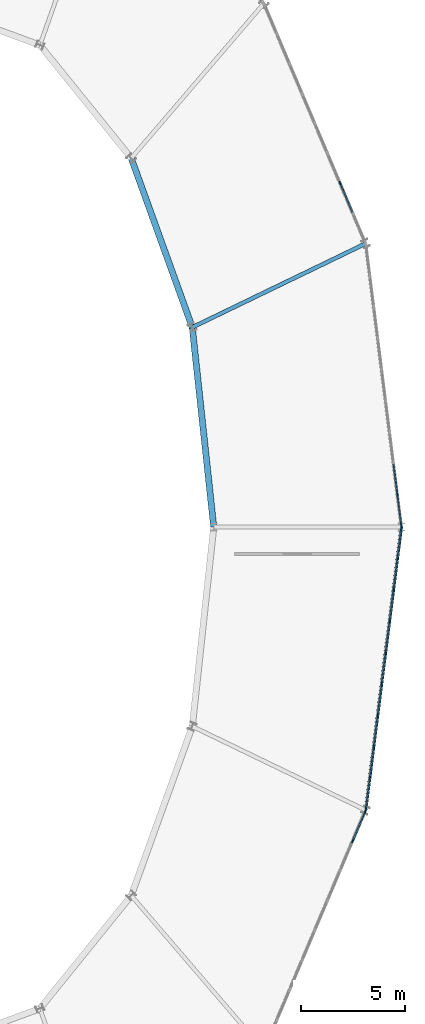
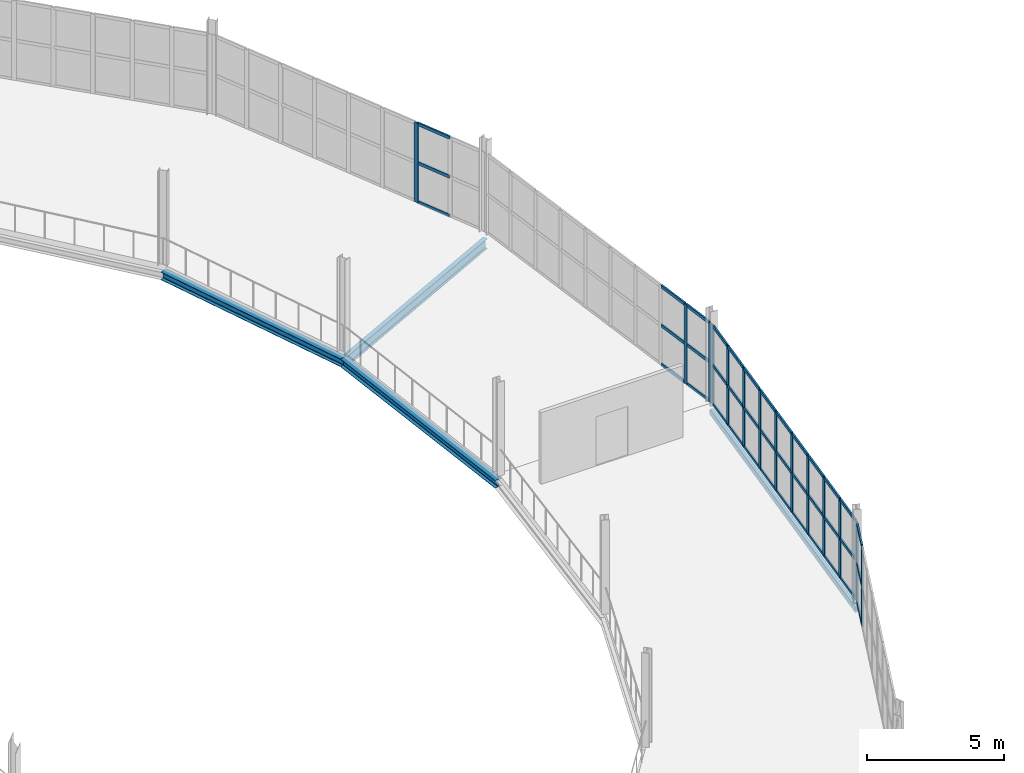
# One storey, part 91 of 161: 54 members, 4 beams, 4 elements without a shape of their own.
"""IFC4 building model written with IfcOpenShell, lengths in metres."""

from ifc_helpers import new_model, si_unit, direction, frame, origin, origin_2d, place, context, subcontext, project, spatial, rectangle, hollow_rectangle, i_section, extrude, material, material_profile, profile_set, type_object, element, aggregate, save


model = new_model("IFC4")

# Units and contexts
model_context = context("Model", 3, precision=1e-05, world=origin(), true_north=direction((0.0, 1.0)))
body_context = subcontext(model_context, "Body", "Model", "MODEL_VIEW")
ifc_project = project(units=[si_unit("LENGTHUNIT", "METRE"), si_unit("AREAUNIT", "SQUARE_METRE"), si_unit("VOLUMEUNIT", "CUBIC_METRE"), si_unit("PLANEANGLEUNIT", "RADIAN"), si_unit("MASSUNIT", "GRAM", prefix="KILO")], contexts=[model_context])

# Site, building, storey
site_placement = place(None, origin())
site = spatial("IfcSite", under=ifc_project, at=site_placement, CompositionType="ELEMENT")
building_placement = place(site_placement, origin())
building = spatial("IfcBuilding", under=site, at=building_placement, Name="Kildeholm Park Wholesale Market", CompositionType="ELEMENT")
storey_placement = place(building_placement, frame((0.0, 0.0, 5.39990234375)))
storey = spatial("IfcBuildingStorey", under=building, at=storey_placement, Name="L01", CompositionType="ELEMENT", Elevation=5.39990234375)

# Beams
ifc_material_1 = material(Name="Steel S355", Category="steel")
ifc_material_profile_1 = material_profile(ifc_material_1, i_section(OverallWidth=0.18994140625, OverallDepth=0.449951171875, WebThickness=0.009521484375, FlangeThickness=0.0146484375, FilletRadius=0.02099609375, at=origin_2d()), Name="IPE 450")
ifc_profile_set_1 = profile_set([ifc_material_profile_1], Name="Steel S355")
beam_type_1 = type_object("IfcBeamType", Name="Beam B-P02 IPE 450", PredefinedType="BEAM", material=ifc_profile_set_1)
beam_1_placement = place(storey_placement, frame((200.471923828125, 104.06689453125, -0.48486328125), z_axis=(0.900388826514, 0.435086153639, 0.0), x_axis=(-0.435086153639, 0.900388826514, 0.0)))
element("IfcBeam", 1, at=beam_1_placement, inside=storey, type_object=beam_type_1, Name="Beam BM-V2-L01-R-01 BM-0370", PredefinedType="BEAM", context=body_context, shape_type="SweptSolid", body=[
    extrude(i_section(OverallWidth=0.18994140625, OverallDepth=0.449951171875, WebThickness=0.009521484375, FlangeThickness=0.0146484375, FilletRadius=0.02099609375, at=origin_2d()), origin(), (0.0, 0.0, 1.0), 9.235107421875),
])
ifc_material_profile_2 = material_profile(ifc_material_1, i_section(OverallWidth=0.300048828125, OverallDepth=0.35009765625, WebThickness=0.010009765625, FlangeThickness=0.017578125, FilletRadius=0.027099609375, at=origin_2d()), Name="HEA 360")
ifc_profile_set_2 = profile_set([ifc_material_profile_2], Name="Steel S355")
beam_type_2 = type_object("IfcBeamType", Name="Beam B-R01 HEA 360", PredefinedType="BEAM", material=ifc_profile_set_2)
beam_2_placement = place(storey_placement, frame((201.5, 94.5, -0.434814453125), z_axis=(-0.106846684142, 0.99427550814, 0.0), x_axis=(-0.99427550814, -0.106846684142, 0.0)))
element("IfcBeam", 2, at=beam_2_placement, inside=storey, type_object=beam_type_2, Name="Beam BM-V2-L01-CI-00 BM-0365", PredefinedType="BEAM", context=body_context, shape_type="SweptSolid", body=[
    extrude(i_section(OverallWidth=0.300048828125, OverallDepth=0.35009765625, WebThickness=0.010009765625, FlangeThickness=0.017578125, FilletRadius=0.027099609375, at=origin_2d()), origin(), (0.0, 0.0, 1.0), 9.6220703125),
])
beam_3_placement = place(storey_placement, frame((200.471923828125, 104.06689453125, -0.434814453125), z_axis=(-0.339339006409, 0.940664147679, 0.0), x_axis=(-0.940664147679, -0.339339006409, 0.0)))
element("IfcBeam", 3, at=beam_3_placement, inside=storey, type_object=beam_type_2, Name="Beam BM-V2-L01-CI-01 BM-0372", PredefinedType="BEAM", context=body_context, shape_type="SweptSolid", body=[
    extrude(i_section(OverallWidth=0.300048828125, OverallDepth=0.35009765625, WebThickness=0.010009765625, FlangeThickness=0.017578125, FilletRadius=0.027099609375, at=origin_2d()), origin(), (0.0, 0.0, 1.0), 8.622802734375),
])
ifc_material_profile_3 = material_profile(ifc_material_1, hollow_rectangle(XDim=0.14990234375, YDim=0.25, WallThickness=0.010009765625, InnerFilletRadius=0.010009765625, OuterFilletRadius=0.02001953125, at=origin_2d()), Name="RHS 250x150x10")
ifc_profile_set_3 = profile_set([ifc_material_profile_3], Name="Steel S355")
beam_type_3 = type_object("IfcBeamType", Name="Beam SP-02 RHS 250x150x10", PredefinedType="SPANDREL", material=ifc_profile_set_3)
beam_4_placement = place(storey_placement, frame((208.787109375, 80.9150390625, -0.385009765625), z_axis=(0.125096795787, 0.99214454173, 0.0), x_axis=(-0.99214454173, 0.125096795787, 0.0)))
element("IfcBeam", 4, at=beam_4_placement, inside=storey, type_object=beam_type_3, Name="Beam BM-V2-L01-CO-15 BM-0467", PredefinedType="SPANDREL", context=body_context, shape_type="SweptSolid", body=[
    extrude(hollow_rectangle(XDim=0.14990234375, YDim=0.25, WallThickness=0.010009765625, InnerFilletRadius=0.010009765625, OuterFilletRadius=0.02001953125, at=origin_2d()), origin(), (0.0, 0.0, 1.0), 13.692626953125),
])

# Curtain wall, members
ifc_material_2 = material(Name="Anodised aluminium and low-E double-glazed glass", Category="aluminium")
curtain_wall_type = type_object("IfcCurtainWallType", Name="Market hall glazed arcade stick curtain wall CW-01", PredefinedType="NOTDEFINED", material=ifc_material_2)
curtain_wall_1_placement = place(storey_placement, origin())
curtain_wall_1 = element("IfcCurtainWall", 5, at=curtain_wall_1_placement, inside=storey, type_object=curtain_wall_type, Name="Curtain wall CW-V2-L01-00 CW-0119", PredefinedType="NOTDEFINED")
ifc_material_3 = material(Name="Anodised aluminium", Category="aluminium")
ifc_material_profile_4 = material_profile(ifc_material_3, rectangle(XDim=0.06494140625, YDim=0.179931640625, at=origin_2d()), Name="CWM 65x180")
ifc_profile_set_4 = profile_set([ifc_material_profile_4], Name="Anodised aluminium")
member_type_1 = type_object("IfcMemberType", Name="Curtain-wall mullion CWM-1 CWM 65x180", PredefinedType="MULLION", material=ifc_profile_set_4)
member_1_placement = place(storey_placement, frame((210.495849609375, 94.5732421875, 0.0), z_axis=(0.0, 0.0, 1.0), x_axis=(-0.992145095497, -0.12509240377, 0.0)))
member_1 = element("IfcMember", 6, at=member_1_placement, type_object=member_type_1, Name="CW-01 mullion 1 MEM-3648", PredefinedType="MULLION", context=body_context, shape_type="SweptSolid", body=[
    extrude(rectangle(XDim=0.06494140625, YDim=0.179931640625, at=origin_2d()), origin(), (0.0, 0.0, 1.0), 3.550048828125),
])
member_2_placement = place(storey_placement, frame((210.310791015625, 96.041748046875, 0.0), z_axis=(0.0, 0.0, 1.0), x_axis=(-0.992145095497, -0.12509240377, 0.0)))
member_2 = element("IfcMember", 7, at=member_2_placement, type_object=member_type_1, Name="CW-01 mullion 2 MEM-3649", PredefinedType="MULLION", context=body_context, shape_type="SweptSolid", body=[
    extrude(rectangle(XDim=0.06494140625, YDim=0.179931640625, at=origin_2d()), origin(), (0.0, 0.0, 1.0), 3.550048828125),
])

# Curtain wall, member
curtain_wall_2_placement = place(storey_placement, origin())
curtain_wall_2 = element("IfcCurtainWall", 8, at=curtain_wall_2_placement, inside=storey, type_object=curtain_wall_type, Name="Curtain wall CW-V2-L01-01 CW-0120", PredefinedType="NOTDEFINED")
member_3_placement = place(storey_placement, frame((207.564453125, 110.9873046875, 0.0), z_axis=(0.0, 0.0, 1.0), x_axis=(-0.920855054668, -0.389905076002, 0.0)))
member_3 = element("IfcMember", 9, at=member_3_placement, type_object=member_type_1, Name="CW-01 mullion 3 MEM-3687", PredefinedType="MULLION", context=body_context, shape_type="SweptSolid", body=[
    extrude(rectangle(XDim=0.06494140625, YDim=0.179931640625, at=origin_2d()), origin(), (0.0, 0.0, 1.0), 3.550048828125),
])

# Curtain wall, members
curtain_wall_3_placement = place(storey_placement, origin())
curtain_wall_3 = element("IfcCurtainWall", 10, at=curtain_wall_3_placement, inside=storey, type_object=curtain_wall_type, Name="Curtain wall CW-V2-L01-14 CW-0133", PredefinedType="NOTDEFINED")
member_4_placement = place(storey_placement, frame((208.170166015625, 79.443359375, 0.0), z_axis=(0.0, 0.0, 1.0), x_axis=(-0.920855054668, 0.389905076002, 0.0)))
member_4 = element("IfcMember", 11, at=member_4_placement, type_object=member_type_1, Name="CW-01 mullion 8 MEM-4081", PredefinedType="MULLION", context=body_context, shape_type="SweptSolid", body=[
    extrude(rectangle(XDim=0.06494140625, YDim=0.179931640625, at=origin_2d()), origin(), (0.0, 0.0, 1.0), 3.550048828125),
])
member_5_placement = place(storey_placement, frame((208.763427734375, 80.843994140625, 0.0), z_axis=(0.0, 0.0, 1.0), x_axis=(-0.920855054668, 0.389905076002, 0.0)))
member_5 = element("IfcMember", 12, at=member_5_placement, type_object=member_type_1, Name="CW-01 mullion 9 MEM-4082", PredefinedType="MULLION", context=body_context, shape_type="SweptSolid", body=[
    extrude(rectangle(XDim=0.06494140625, YDim=0.179931640625, at=origin_2d()), origin(), (0.0, 0.0, 1.0), 3.550048828125),
])

curtain_wall_4_placement = place(storey_placement, origin())
curtain_wall_4 = element("IfcCurtainWall", 13, at=curtain_wall_4_placement, inside=storey, type_object=curtain_wall_type, Name="Curtain wall CW-V2-L01-15 CW-0134", PredefinedType="NOTDEFINED")
member_6_placement = place(storey_placement, frame((208.801025390625, 80.984130859375, 0.0), z_axis=(0.0, 0.0, 1.0), x_axis=(-0.992145095497, 0.12509240377, 0.0)))
member_6 = element("IfcMember", 14, at=member_6_placement, type_object=member_type_1, Name="CW-01 mullion 1 MEM-4107", PredefinedType="MULLION", context=body_context, shape_type="SweptSolid", body=[
    extrude(rectangle(XDim=0.06494140625, YDim=0.179931640625, at=origin_2d()), origin(), (0.0, 0.0, 1.0), 3.550048828125),
])
member_7_placement = place(storey_placement, frame((208.986328125, 82.452880859375, 0.0), z_axis=(0.0, 0.0, 1.0), x_axis=(-0.992145095497, 0.12509240377, 0.0)))
member_7 = element("IfcMember", 15, at=member_7_placement, type_object=member_type_1, Name="CW-01 mullion 2 MEM-4108", PredefinedType="MULLION", context=body_context, shape_type="SweptSolid", body=[
    extrude(rectangle(XDim=0.06494140625, YDim=0.179931640625, at=origin_2d()), origin(), (0.0, 0.0, 1.0), 3.550048828125),
])
member_8_placement = place(storey_placement, frame((209.175537109375, 83.95361328125, 0.0), z_axis=(0.0, 0.0, 1.0), x_axis=(-0.992145095497, 0.12509240377, 0.0)))
member_8 = element("IfcMember", 16, at=member_8_placement, type_object=member_type_1, Name="CW-01 mullion 3 MEM-4109", PredefinedType="MULLION", context=body_context, shape_type="SweptSolid", body=[
    extrude(rectangle(XDim=0.06494140625, YDim=0.179931640625, at=origin_2d()), origin(), (0.0, 0.0, 1.0), 3.550048828125),
])
member_9_placement = place(storey_placement, frame((209.36474609375, 85.454345703125, 0.0), z_axis=(0.0, 0.0, 1.0), x_axis=(-0.992145095497, 0.12509240377, 0.0)))
member_9 = element("IfcMember", 17, at=member_9_placement, type_object=member_type_1, Name="CW-01 mullion 4 MEM-4110", PredefinedType="MULLION", context=body_context, shape_type="SweptSolid", body=[
    extrude(rectangle(XDim=0.06494140625, YDim=0.179931640625, at=origin_2d()), origin(), (0.0, 0.0, 1.0), 3.550048828125),
])
member_10_placement = place(storey_placement, frame((209.553955078125, 86.955078125, 0.0), z_axis=(0.0, 0.0, 1.0), x_axis=(-0.992145095497, 0.12509240377, 0.0)))
member_10 = element("IfcMember", 18, at=member_10_placement, type_object=member_type_1, Name="CW-01 mullion 5 MEM-4111", PredefinedType="MULLION", context=body_context, shape_type="SweptSolid", body=[
    extrude(rectangle(XDim=0.06494140625, YDim=0.179931640625, at=origin_2d()), origin(), (0.0, 0.0, 1.0), 3.550048828125),
])
member_11_placement = place(storey_placement, frame((209.7431640625, 88.455810546875, 0.0), z_axis=(0.0, 0.0, 1.0), x_axis=(-0.992145095497, 0.12509240377, 0.0)))
member_11 = element("IfcMember", 19, at=member_11_placement, type_object=member_type_1, Name="CW-01 mullion 6 MEM-4112", PredefinedType="MULLION", context=body_context, shape_type="SweptSolid", body=[
    extrude(rectangle(XDim=0.06494140625, YDim=0.179931640625, at=origin_2d()), origin(), (0.0, 0.0, 1.0), 3.550048828125),
])
member_12_placement = place(storey_placement, frame((209.932373046875, 89.956787109375, 0.0), z_axis=(0.0, 0.0, 1.0), x_axis=(-0.992145095497, 0.12509240377, 0.0)))
member_12 = element("IfcMember", 20, at=member_12_placement, type_object=member_type_1, Name="CW-01 mullion 7 MEM-4113", PredefinedType="MULLION", context=body_context, shape_type="SweptSolid", body=[
    extrude(rectangle(XDim=0.06494140625, YDim=0.179931640625, at=origin_2d()), origin(), (0.0, 0.0, 1.0), 3.550048828125),
])
member_13_placement = place(storey_placement, frame((210.12158203125, 91.45751953125, 0.0), z_axis=(0.0, 0.0, 1.0), x_axis=(-0.992145095497, 0.12509240377, 0.0)))
member_13 = element("IfcMember", 21, at=member_13_placement, type_object=member_type_1, Name="CW-01 mullion 8 MEM-4114", PredefinedType="MULLION", context=body_context, shape_type="SweptSolid", body=[
    extrude(rectangle(XDim=0.06494140625, YDim=0.179931640625, at=origin_2d()), origin(), (0.0, 0.0, 1.0), 3.550048828125),
])
member_14_placement = place(storey_placement, frame((210.310791015625, 92.958251953125, 0.0), z_axis=(0.0, 0.0, 1.0), x_axis=(-0.992145095497, 0.12509240377, 0.0)))
member_14 = element("IfcMember", 22, at=member_14_placement, type_object=member_type_1, Name="CW-01 mullion 9 MEM-4115", PredefinedType="MULLION", context=body_context, shape_type="SweptSolid", body=[
    extrude(rectangle(XDim=0.06494140625, YDim=0.179931640625, at=origin_2d()), origin(), (0.0, 0.0, 1.0), 3.550048828125),
])
member_15_placement = place(storey_placement, frame((210.495849609375, 94.4267578125, 0.0), z_axis=(0.0, 0.0, 1.0), x_axis=(-0.992145095497, 0.12509240377, 0.0)))
member_15 = element("IfcMember", 23, at=member_15_placement, type_object=member_type_1, Name="CW-01 mullion 10 MEM-4116", PredefinedType="MULLION", context=body_context, shape_type="SweptSolid", body=[
    extrude(rectangle(XDim=0.06494140625, YDim=0.179931640625, at=origin_2d()), origin(), (0.0, 0.0, 1.0), 3.550048828125),
])

# Member
ifc_material_profile_5 = material_profile(ifc_material_3, rectangle(XDim=0.06494140625, YDim=0.139892578125, at=origin_2d()), Name="CWT 65x140")
ifc_profile_set_5 = profile_set([ifc_material_profile_5], Name="Anodised aluminium")
member_type_2 = type_object("IfcMemberType", Name="Curtain-wall transom CWT-1 CWT 65x140", PredefinedType="USERDEFINED", material=ifc_profile_set_5)
member_16_placement = place(storey_placement, frame((210.491943359375, 94.60546875, 0.03271484375), z_axis=(-0.125075078735, 0.992147279732, 0.0), x_axis=(-0.992147279732, -0.125075078735, 0.0)))
member_16 = element("IfcMember", 24, at=member_16_placement, type_object=member_type_2, Name="CW-01 transom 1.1 MEM-3658", ObjectType="TRANSOM", PredefinedType="USERDEFINED", context=body_context, shape_type="SweptSolid", body=[
    extrude(rectangle(XDim=0.06494140625, YDim=0.139892578125, at=origin_2d()), origin(), (0.0, 0.0, 1.0), 1.415283203125),
])

member_17_placement = place(storey_placement, frame((210.491943359375, 94.60546875, 1.775146484375), z_axis=(-0.125075078735, 0.992147279732, 0.0), x_axis=(-0.992147279732, -0.125075078735, 0.0)))
member_17 = element("IfcMember", 25, at=member_17_placement, type_object=member_type_2, Name="CW-01 transom 1.2 MEM-3659", ObjectType="TRANSOM", PredefinedType="USERDEFINED", context=body_context, shape_type="SweptSolid", body=[
    extrude(rectangle(XDim=0.06494140625, YDim=0.139892578125, at=origin_2d()), origin(), (0.0, 0.0, 1.0), 1.415283203125),
])

member_18_placement = place(storey_placement, frame((210.491943359375, 94.60546875, 3.517578125), z_axis=(-0.125075078735, 0.992147279732, 0.0), x_axis=(-0.992147279732, -0.125075078735, 0.0)))
member_18 = element("IfcMember", 26, at=member_18_placement, type_object=member_type_2, Name="CW-01 transom 1.3 MEM-3660", ObjectType="TRANSOM", PredefinedType="USERDEFINED", context=body_context, shape_type="SweptSolid", body=[
    extrude(rectangle(XDim=0.06494140625, YDim=0.139892578125, at=origin_2d()), origin(), (0.0, 0.0, 1.0), 1.415283203125),
])

member_19_placement = place(storey_placement, frame((210.306640625, 96.073974609375, 0.03271484375), z_axis=(-0.124968734331, 0.992160680253, 0.0), x_axis=(-0.992160680253, -0.124968734331, 0.0)))
member_19 = element("IfcMember", 27, at=member_19_placement, type_object=member_type_2, Name="CW-01 transom 2.1 MEM-3661", ObjectType="TRANSOM", PredefinedType="USERDEFINED", context=body_context, shape_type="SweptSolid", body=[
    extrude(rectangle(XDim=0.06494140625, YDim=0.139892578125, at=origin_2d()), origin(), (0.0, 0.0, 1.0), 1.447509765625),
])

member_20_placement = place(storey_placement, frame((210.306640625, 96.073974609375, 1.775146484375), z_axis=(-0.124968734331, 0.992160680253, 0.0), x_axis=(-0.992160680253, -0.124968734331, 0.0)))
member_20 = element("IfcMember", 28, at=member_20_placement, type_object=member_type_2, Name="CW-01 transom 2.2 MEM-3662", ObjectType="TRANSOM", PredefinedType="USERDEFINED", context=body_context, shape_type="SweptSolid", body=[
    extrude(rectangle(XDim=0.06494140625, YDim=0.139892578125, at=origin_2d()), origin(), (0.0, 0.0, 1.0), 1.447509765625),
])

member_21_placement = place(storey_placement, frame((210.306640625, 96.073974609375, 3.517578125), z_axis=(-0.124968734331, 0.992160680253, 0.0), x_axis=(-0.992160680253, -0.124968734331, 0.0)))
member_21 = element("IfcMember", 29, at=member_21_placement, type_object=member_type_2, Name="CW-01 transom 2.3 MEM-3663", ObjectType="TRANSOM", PredefinedType="USERDEFINED", context=body_context, shape_type="SweptSolid", body=[
    extrude(rectangle(XDim=0.06494140625, YDim=0.139892578125, at=origin_2d()), origin(), (0.0, 0.0, 1.0), 1.447509765625),
])

aggregate(curtain_wall_1, [member_1, member_2, member_16, member_17, member_18, member_19, member_20, member_21])

member_22_placement = place(storey_placement, frame((208.157470703125, 109.586669921875, 0.03271484375), z_axis=(-0.389896824033, 0.920858548643, 0.0), x_axis=(-0.920858548643, -0.389896824033, 0.0)))
member_22 = element("IfcMember", 30, at=member_22_placement, type_object=member_type_2, Name="CW-01 transom 2.1 MEM-3697", ObjectType="TRANSOM", PredefinedType="USERDEFINED", context=body_context, shape_type="SweptSolid", body=[
    extrude(rectangle(XDim=0.06494140625, YDim=0.139892578125, at=origin_2d()), origin(), (0.0, 0.0, 1.0), 1.48828125),
])

member_23_placement = place(storey_placement, frame((208.157470703125, 109.586669921875, 1.775146484375), z_axis=(-0.389896824033, 0.920858548643, 0.0), x_axis=(-0.920858548643, -0.389896824033, 0.0)))
member_23 = element("IfcMember", 31, at=member_23_placement, type_object=member_type_2, Name="CW-01 transom 2.2 MEM-3698", ObjectType="TRANSOM", PredefinedType="USERDEFINED", context=body_context, shape_type="SweptSolid", body=[
    extrude(rectangle(XDim=0.06494140625, YDim=0.139892578125, at=origin_2d()), origin(), (0.0, 0.0, 1.0), 1.48828125),
])

member_24_placement = place(storey_placement, frame((208.157470703125, 109.586669921875, 3.517578125), z_axis=(-0.389896824033, 0.920858548643, 0.0), x_axis=(-0.920858548643, -0.389896824033, 0.0)))
member_24 = element("IfcMember", 32, at=member_24_placement, type_object=member_type_2, Name="CW-01 transom 2.3 MEM-3699", ObjectType="TRANSOM", PredefinedType="USERDEFINED", context=body_context, shape_type="SweptSolid", body=[
    extrude(rectangle(XDim=0.06494140625, YDim=0.139892578125, at=origin_2d()), origin(), (0.0, 0.0, 1.0), 1.48828125),
])

aggregate(curtain_wall_2, [member_3, member_22, member_23, member_24])

member_25_placement = place(storey_placement, frame((208.182861328125, 79.473388671875, 0.03271484375), z_axis=(0.389990019704, 0.920819083497, 0.0), x_axis=(-0.920819083497, 0.389990019704, 0.0)))
member_25 = element("IfcMember", 33, at=member_25_placement, type_object=member_type_2, Name="CW-01 transom 8.1 MEM-4104", ObjectType="TRANSOM", PredefinedType="USERDEFINED", context=body_context, shape_type="SweptSolid", body=[
    extrude(rectangle(XDim=0.06494140625, YDim=0.139892578125, at=origin_2d()), origin(), (0.0, 0.0, 1.0), 1.4560546875),
])

member_26_placement = place(storey_placement, frame((208.182861328125, 79.473388671875, 1.775146484375), z_axis=(0.389990019704, 0.920819083497, 0.0), x_axis=(-0.920819083497, 0.389990019704, 0.0)))
member_26 = element("IfcMember", 34, at=member_26_placement, type_object=member_type_2, Name="CW-01 transom 8.2 MEM-4105", ObjectType="TRANSOM", PredefinedType="USERDEFINED", context=body_context, shape_type="SweptSolid", body=[
    extrude(rectangle(XDim=0.06494140625, YDim=0.139892578125, at=origin_2d()), origin(), (0.0, 0.0, 1.0), 1.4560546875),
])

member_27_placement = place(storey_placement, frame((208.182861328125, 79.473388671875, 3.517578125), z_axis=(0.389990019704, 0.920819083497, 0.0), x_axis=(-0.920819083497, 0.389990019704, 0.0)))
member_27 = element("IfcMember", 35, at=member_27_placement, type_object=member_type_2, Name="CW-01 transom 8.3 MEM-4106", ObjectType="TRANSOM", PredefinedType="USERDEFINED", context=body_context, shape_type="SweptSolid", body=[
    extrude(rectangle(XDim=0.06494140625, YDim=0.139892578125, at=origin_2d()), origin(), (0.0, 0.0, 1.0), 1.4560546875),
])

aggregate(curtain_wall_3, [member_4, member_5, member_25, member_26, member_27])

member_28_placement = place(storey_placement, frame((208.80517578125, 81.0166015625, 0.03271484375), z_axis=(0.125075078735, 0.992147279732, 0.0), x_axis=(-0.992147279732, 0.125075078735, 0.0)))
member_28 = element("IfcMember", 36, at=member_28_placement, type_object=member_type_2, Name="CW-01 transom 1.1 MEM-4117", ObjectType="TRANSOM", PredefinedType="USERDEFINED", context=body_context, shape_type="SweptSolid", body=[
    extrude(rectangle(XDim=0.06494140625, YDim=0.139892578125, at=origin_2d()), origin(), (0.0, 0.0, 1.0), 1.415283203125),
])

member_29_placement = place(storey_placement, frame((208.80517578125, 81.0166015625, 1.775146484375), z_axis=(0.125075078735, 0.992147279732, 0.0), x_axis=(-0.992147279732, 0.125075078735, 0.0)))
member_29 = element("IfcMember", 37, at=member_29_placement, type_object=member_type_2, Name="CW-01 transom 1.2 MEM-4118", ObjectType="TRANSOM", PredefinedType="USERDEFINED", context=body_context, shape_type="SweptSolid", body=[
    extrude(rectangle(XDim=0.06494140625, YDim=0.139892578125, at=origin_2d()), origin(), (0.0, 0.0, 1.0), 1.415283203125),
])

member_30_placement = place(storey_placement, frame((208.80517578125, 81.0166015625, 3.517578125), z_axis=(0.125075078735, 0.992147279732, 0.0), x_axis=(-0.992147279732, 0.125075078735, 0.0)))
member_30 = element("IfcMember", 38, at=member_30_placement, type_object=member_type_2, Name="CW-01 transom 1.3 MEM-4119", ObjectType="TRANSOM", PredefinedType="USERDEFINED", context=body_context, shape_type="SweptSolid", body=[
    extrude(rectangle(XDim=0.06494140625, YDim=0.139892578125, at=origin_2d()), origin(), (0.0, 0.0, 1.0), 1.415283203125),
])

member_31_placement = place(storey_placement, frame((208.990234375, 82.485107421875, 0.03271484375), z_axis=(0.125134744026, 0.992139756203, 0.0), x_axis=(-0.992139756203, 0.125134744026, 0.0)))
member_31 = element("IfcMember", 39, at=member_31_placement, type_object=member_type_2, Name="CW-01 transom 2.1 MEM-4120", ObjectType="TRANSOM", PredefinedType="USERDEFINED", context=body_context, shape_type="SweptSolid", body=[
    extrude(rectangle(XDim=0.06494140625, YDim=0.139892578125, at=origin_2d()), origin(), (0.0, 0.0, 1.0), 1.44775390625),
])

member_32_placement = place(storey_placement, frame((208.990234375, 82.485107421875, 1.775146484375), z_axis=(0.125134744026, 0.992139756203, 0.0), x_axis=(-0.992139756203, 0.125134744026, 0.0)))
member_32 = element("IfcMember", 40, at=member_32_placement, type_object=member_type_2, Name="CW-01 transom 2.2 MEM-4121", ObjectType="TRANSOM", PredefinedType="USERDEFINED", context=body_context, shape_type="SweptSolid", body=[
    extrude(rectangle(XDim=0.06494140625, YDim=0.139892578125, at=origin_2d()), origin(), (0.0, 0.0, 1.0), 1.44775390625),
])

member_33_placement = place(storey_placement, frame((208.990234375, 82.485107421875, 3.517578125), z_axis=(0.125134744026, 0.992139756203, 0.0), x_axis=(-0.992139756203, 0.125134744026, 0.0)))
member_33 = element("IfcMember", 41, at=member_33_placement, type_object=member_type_2, Name="CW-01 transom 2.3 MEM-4122", ObjectType="TRANSOM", PredefinedType="USERDEFINED", context=body_context, shape_type="SweptSolid", body=[
    extrude(rectangle(XDim=0.06494140625, YDim=0.139892578125, at=origin_2d()), origin(), (0.0, 0.0, 1.0), 1.44775390625),
])

member_34_placement = place(storey_placement, frame((209.179443359375, 83.98583984375, 0.03271484375), z_axis=(0.125134744026, 0.992139756203, 0.0), x_axis=(-0.992139756203, 0.125134744026, 0.0)))
member_34 = element("IfcMember", 42, at=member_34_placement, type_object=member_type_2, Name="CW-01 transom 3.1 MEM-4123", ObjectType="TRANSOM", PredefinedType="USERDEFINED", context=body_context, shape_type="SweptSolid", body=[
    extrude(rectangle(XDim=0.06494140625, YDim=0.139892578125, at=origin_2d()), origin(), (0.0, 0.0, 1.0), 1.44775390625),
])

member_35_placement = place(storey_placement, frame((209.179443359375, 83.98583984375, 1.775146484375), z_axis=(0.125134744026, 0.992139756203, 0.0), x_axis=(-0.992139756203, 0.125134744026, 0.0)))
member_35 = element("IfcMember", 43, at=member_35_placement, type_object=member_type_2, Name="CW-01 transom 3.2 MEM-4124", ObjectType="TRANSOM", PredefinedType="USERDEFINED", context=body_context, shape_type="SweptSolid", body=[
    extrude(rectangle(XDim=0.06494140625, YDim=0.139892578125, at=origin_2d()), origin(), (0.0, 0.0, 1.0), 1.44775390625),
])

member_36_placement = place(storey_placement, frame((209.179443359375, 83.98583984375, 3.517578125), z_axis=(0.125134744026, 0.992139756203, 0.0), x_axis=(-0.992139756203, 0.125134744026, 0.0)))
member_36 = element("IfcMember", 44, at=member_36_placement, type_object=member_type_2, Name="CW-01 transom 3.3 MEM-4125", ObjectType="TRANSOM", PredefinedType="USERDEFINED", context=body_context, shape_type="SweptSolid", body=[
    extrude(rectangle(XDim=0.06494140625, YDim=0.139892578125, at=origin_2d()), origin(), (0.0, 0.0, 1.0), 1.44775390625),
])

member_37_placement = place(storey_placement, frame((209.36865234375, 85.486572265625, 0.03271484375), z_axis=(0.125134744026, 0.992139756203, 0.0), x_axis=(-0.992139756203, 0.125134744026, 0.0)))
member_37 = element("IfcMember", 45, at=member_37_placement, type_object=member_type_2, Name="CW-01 transom 4.1 MEM-4126", ObjectType="TRANSOM", PredefinedType="USERDEFINED", context=body_context, shape_type="SweptSolid", body=[
    extrude(rectangle(XDim=0.06494140625, YDim=0.139892578125, at=origin_2d()), origin(), (0.0, 0.0, 1.0), 1.44775390625),
])

member_38_placement = place(storey_placement, frame((209.36865234375, 85.486572265625, 1.775146484375), z_axis=(0.125134744026, 0.992139756203, 0.0), x_axis=(-0.992139756203, 0.125134744026, 0.0)))
member_38 = element("IfcMember", 46, at=member_38_placement, type_object=member_type_2, Name="CW-01 transom 4.2 MEM-4127", ObjectType="TRANSOM", PredefinedType="USERDEFINED", context=body_context, shape_type="SweptSolid", body=[
    extrude(rectangle(XDim=0.06494140625, YDim=0.139892578125, at=origin_2d()), origin(), (0.0, 0.0, 1.0), 1.44775390625),
])

member_39_placement = place(storey_placement, frame((209.36865234375, 85.486572265625, 3.517578125), z_axis=(0.125134744026, 0.992139756203, 0.0), x_axis=(-0.992139756203, 0.125134744026, 0.0)))
member_39 = element("IfcMember", 47, at=member_39_placement, type_object=member_type_2, Name="CW-01 transom 4.3 MEM-4128", ObjectType="TRANSOM", PredefinedType="USERDEFINED", context=body_context, shape_type="SweptSolid", body=[
    extrude(rectangle(XDim=0.06494140625, YDim=0.139892578125, at=origin_2d()), origin(), (0.0, 0.0, 1.0), 1.44775390625),
])

member_40_placement = place(storey_placement, frame((209.557861328125, 86.9873046875, 0.03271484375), z_axis=(0.125134744026, 0.992139756203, 0.0), x_axis=(-0.992139756203, 0.125134744026, 0.0)))
member_40 = element("IfcMember", 48, at=member_40_placement, type_object=member_type_2, Name="CW-01 transom 5.1 MEM-4129", ObjectType="TRANSOM", PredefinedType="USERDEFINED", context=body_context, shape_type="SweptSolid", body=[
    extrude(rectangle(XDim=0.06494140625, YDim=0.139892578125, at=origin_2d()), origin(), (0.0, 0.0, 1.0), 1.44775390625),
])

member_41_placement = place(storey_placement, frame((209.557861328125, 86.9873046875, 1.775146484375), z_axis=(0.125134744026, 0.992139756203, 0.0), x_axis=(-0.992139756203, 0.125134744026, 0.0)))
member_41 = element("IfcMember", 49, at=member_41_placement, type_object=member_type_2, Name="CW-01 transom 5.2 MEM-4130", ObjectType="TRANSOM", PredefinedType="USERDEFINED", context=body_context, shape_type="SweptSolid", body=[
    extrude(rectangle(XDim=0.06494140625, YDim=0.139892578125, at=origin_2d()), origin(), (0.0, 0.0, 1.0), 1.44775390625),
])

member_42_placement = place(storey_placement, frame((209.557861328125, 86.9873046875, 3.517578125), z_axis=(0.125134744026, 0.992139756203, 0.0), x_axis=(-0.992139756203, 0.125134744026, 0.0)))
member_42 = element("IfcMember", 50, at=member_42_placement, type_object=member_type_2, Name="CW-01 transom 5.3 MEM-4131", ObjectType="TRANSOM", PredefinedType="USERDEFINED", context=body_context, shape_type="SweptSolid", body=[
    extrude(rectangle(XDim=0.06494140625, YDim=0.139892578125, at=origin_2d()), origin(), (0.0, 0.0, 1.0), 1.44775390625),
])

member_43_placement = place(storey_placement, frame((209.7470703125, 88.488037109375, 0.03271484375), z_axis=(0.125134744026, 0.992139756203, 0.0), x_axis=(-0.992139756203, 0.125134744026, 0.0)))
member_43 = element("IfcMember", 51, at=member_43_placement, type_object=member_type_2, Name="CW-01 transom 6.1 MEM-4132", ObjectType="TRANSOM", PredefinedType="USERDEFINED", context=body_context, shape_type="SweptSolid", body=[
    extrude(rectangle(XDim=0.06494140625, YDim=0.139892578125, at=origin_2d()), origin(), (0.0, 0.0, 1.0), 1.44775390625),
])

member_44_placement = place(storey_placement, frame((209.7470703125, 88.488037109375, 1.775146484375), z_axis=(0.125134744026, 0.992139756203, 0.0), x_axis=(-0.992139756203, 0.125134744026, 0.0)))
member_44 = element("IfcMember", 52, at=member_44_placement, type_object=member_type_2, Name="CW-01 transom 6.2 MEM-4133", ObjectType="TRANSOM", PredefinedType="USERDEFINED", context=body_context, shape_type="SweptSolid", body=[
    extrude(rectangle(XDim=0.06494140625, YDim=0.139892578125, at=origin_2d()), origin(), (0.0, 0.0, 1.0), 1.44775390625),
])

member_45_placement = place(storey_placement, frame((209.7470703125, 88.488037109375, 3.517578125), z_axis=(0.125134744026, 0.992139756203, 0.0), x_axis=(-0.992139756203, 0.125134744026, 0.0)))
member_45 = element("IfcMember", 53, at=member_45_placement, type_object=member_type_2, Name="CW-01 transom 6.3 MEM-4134", ObjectType="TRANSOM", PredefinedType="USERDEFINED", context=body_context, shape_type="SweptSolid", body=[
    extrude(rectangle(XDim=0.06494140625, YDim=0.139892578125, at=origin_2d()), origin(), (0.0, 0.0, 1.0), 1.44775390625),
])

member_46_placement = place(storey_placement, frame((209.936279296875, 89.989013671875, 0.03271484375), z_axis=(0.125134744026, 0.992139756203, 0.0), x_axis=(-0.992139756203, 0.125134744026, 0.0)))
member_46 = element("IfcMember", 54, at=member_46_placement, type_object=member_type_2, Name="CW-01 transom 7.1 MEM-4135", ObjectType="TRANSOM", PredefinedType="USERDEFINED", context=body_context, shape_type="SweptSolid", body=[
    extrude(rectangle(XDim=0.06494140625, YDim=0.139892578125, at=origin_2d()), origin(), (0.0, 0.0, 1.0), 1.44775390625),
])

member_47_placement = place(storey_placement, frame((209.936279296875, 89.989013671875, 1.775146484375), z_axis=(0.125134744026, 0.992139756203, 0.0), x_axis=(-0.992139756203, 0.125134744026, 0.0)))
member_47 = element("IfcMember", 55, at=member_47_placement, type_object=member_type_2, Name="CW-01 transom 7.2 MEM-4136", ObjectType="TRANSOM", PredefinedType="USERDEFINED", context=body_context, shape_type="SweptSolid", body=[
    extrude(rectangle(XDim=0.06494140625, YDim=0.139892578125, at=origin_2d()), origin(), (0.0, 0.0, 1.0), 1.44775390625),
])

member_48_placement = place(storey_placement, frame((209.936279296875, 89.989013671875, 3.517578125), z_axis=(0.125134744026, 0.992139756203, 0.0), x_axis=(-0.992139756203, 0.125134744026, 0.0)))
member_48 = element("IfcMember", 56, at=member_48_placement, type_object=member_type_2, Name="CW-01 transom 7.3 MEM-4137", ObjectType="TRANSOM", PredefinedType="USERDEFINED", context=body_context, shape_type="SweptSolid", body=[
    extrude(rectangle(XDim=0.06494140625, YDim=0.139892578125, at=origin_2d()), origin(), (0.0, 0.0, 1.0), 1.44775390625),
])

member_49_placement = place(storey_placement, frame((210.125732421875, 91.48974609375, 0.03271484375), z_axis=(0.124968734331, 0.992160680253, 0.0), x_axis=(-0.992160680253, 0.124968734331, 0.0)))
member_49 = element("IfcMember", 57, at=member_49_placement, type_object=member_type_2, Name="CW-01 transom 8.1 MEM-4138", ObjectType="TRANSOM", PredefinedType="USERDEFINED", context=body_context, shape_type="SweptSolid", body=[
    extrude(rectangle(XDim=0.06494140625, YDim=0.139892578125, at=origin_2d()), origin(), (0.0, 0.0, 1.0), 1.447509765625),
])

member_50_placement = place(storey_placement, frame((210.125732421875, 91.48974609375, 1.775146484375), z_axis=(0.124968734331, 0.992160680253, 0.0), x_axis=(-0.992160680253, 0.124968734331, 0.0)))
member_50 = element("IfcMember", 58, at=member_50_placement, type_object=member_type_2, Name="CW-01 transom 8.2 MEM-4139", ObjectType="TRANSOM", PredefinedType="USERDEFINED", context=body_context, shape_type="SweptSolid", body=[
    extrude(rectangle(XDim=0.06494140625, YDim=0.139892578125, at=origin_2d()), origin(), (0.0, 0.0, 1.0), 1.447509765625),
])

member_51_placement = place(storey_placement, frame((210.125732421875, 91.48974609375, 3.517578125), z_axis=(0.124968734331, 0.992160680253, 0.0), x_axis=(-0.992160680253, 0.124968734331, 0.0)))
member_51 = element("IfcMember", 59, at=member_51_placement, type_object=member_type_2, Name="CW-01 transom 8.3 MEM-4140", ObjectType="TRANSOM", PredefinedType="USERDEFINED", context=body_context, shape_type="SweptSolid", body=[
    extrude(rectangle(XDim=0.06494140625, YDim=0.139892578125, at=origin_2d()), origin(), (0.0, 0.0, 1.0), 1.447509765625),
])

member_52_placement = place(storey_placement, frame((210.31494140625, 92.990478515625, 0.03271484375), z_axis=(0.125075078735, 0.992147279732, 0.0), x_axis=(-0.992147279732, 0.125075078735, 0.0)))
member_52 = element("IfcMember", 60, at=member_52_placement, type_object=member_type_2, Name="CW-01 transom 9.1 MEM-4141", ObjectType="TRANSOM", PredefinedType="USERDEFINED", context=body_context, shape_type="SweptSolid", body=[
    extrude(rectangle(XDim=0.06494140625, YDim=0.139892578125, at=origin_2d()), origin(), (0.0, 0.0, 1.0), 1.415283203125),
])

member_53_placement = place(storey_placement, frame((210.31494140625, 92.990478515625, 1.775146484375), z_axis=(0.125075078735, 0.992147279732, 0.0), x_axis=(-0.992147279732, 0.125075078735, 0.0)))
member_53 = element("IfcMember", 61, at=member_53_placement, type_object=member_type_2, Name="CW-01 transom 9.2 MEM-4142", ObjectType="TRANSOM", PredefinedType="USERDEFINED", context=body_context, shape_type="SweptSolid", body=[
    extrude(rectangle(XDim=0.06494140625, YDim=0.139892578125, at=origin_2d()), origin(), (0.0, 0.0, 1.0), 1.415283203125),
])

member_54_placement = place(storey_placement, frame((210.31494140625, 92.990478515625, 3.517578125), z_axis=(0.125075078735, 0.992147279732, 0.0), x_axis=(-0.992147279732, 0.125075078735, 0.0)))
member_54 = element("IfcMember", 62, at=member_54_placement, type_object=member_type_2, Name="CW-01 transom 9.3 MEM-4143", ObjectType="TRANSOM", PredefinedType="USERDEFINED", context=body_context, shape_type="SweptSolid", body=[
    extrude(rectangle(XDim=0.06494140625, YDim=0.139892578125, at=origin_2d()), origin(), (0.0, 0.0, 1.0), 1.415283203125),
])

aggregate(curtain_wall_4, [member_6, member_7, member_8, member_9, member_10, member_11, member_12, member_13, member_14, member_15, member_28, member_29, member_30, member_31, member_32, member_33, member_34, member_35, member_36, member_37, member_38, member_39, member_40, member_41, member_42, member_43, member_44, member_45, member_46, member_47, member_48, member_49, member_50, member_51, member_52, member_53, member_54])

save(model, "model.ifc")
